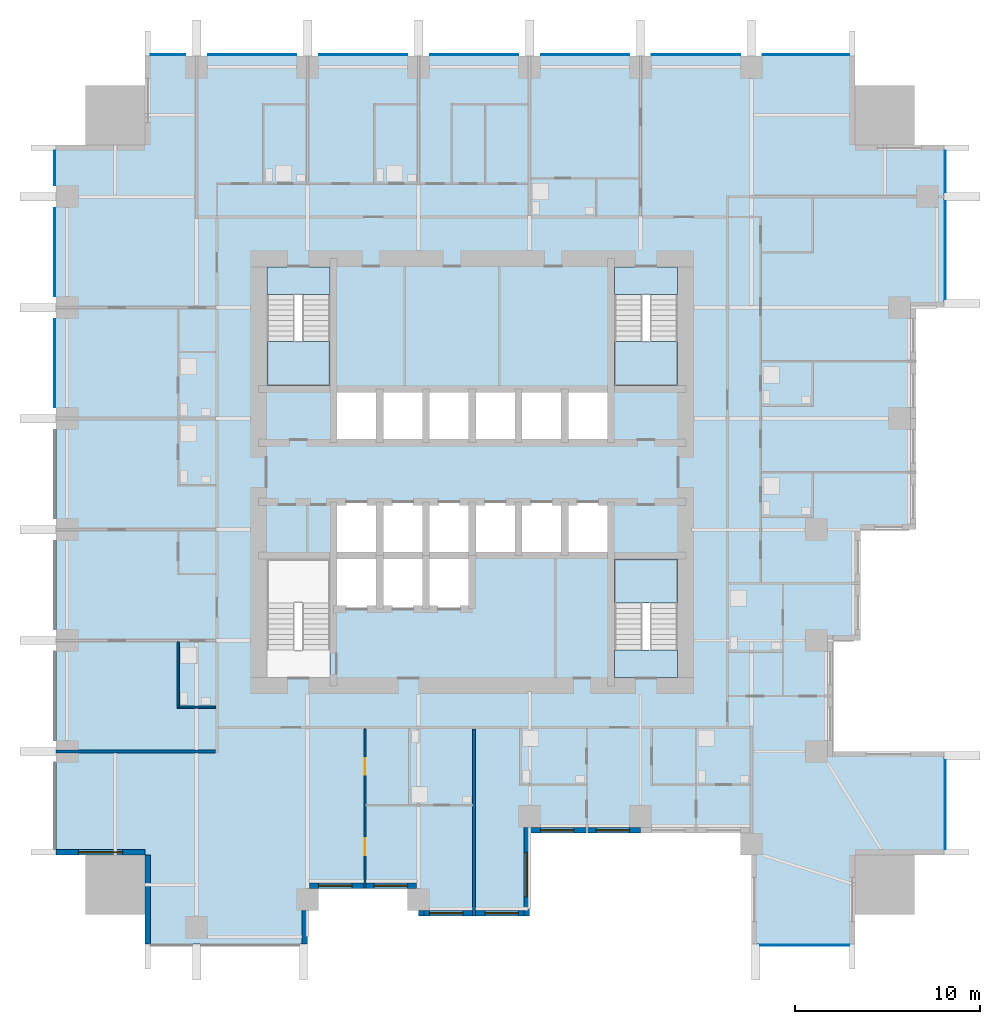
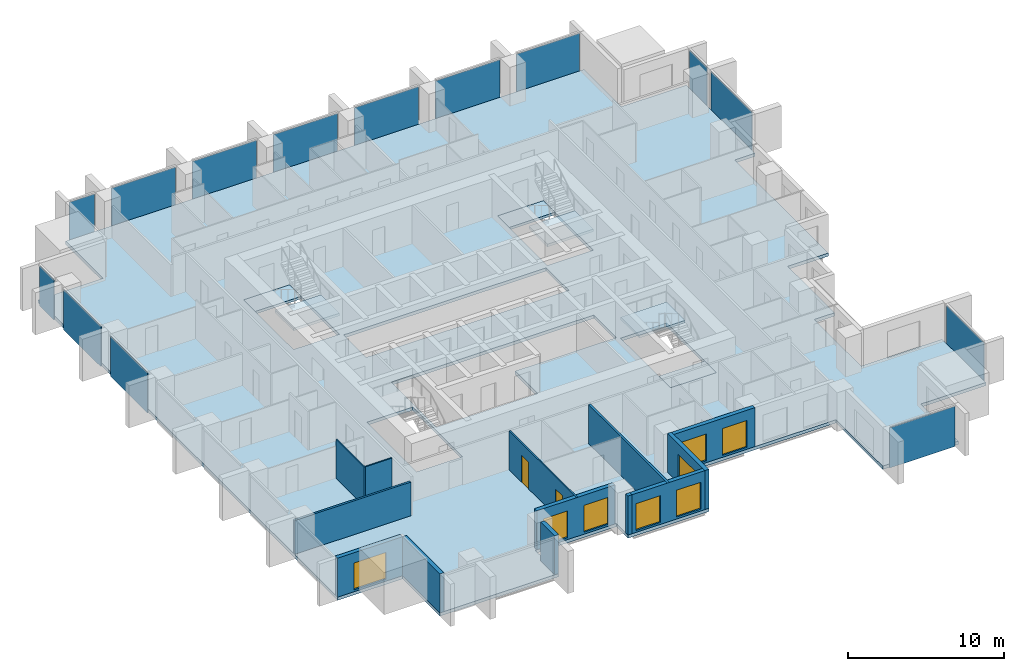
# One storey, part 3 of 10: 14 plates, 13 walls, 8 windows, 7 slabs, 2 doors, 10 openings, 8 elements without a shape of their own.
"""IFC4 building model written with IfcOpenShell, lengths in metres."""

from ifc_helpers import new_model, si_unit, direction, frame, frame_2d, origin, origin_2d, place, context, subcontext, project, spatial, polyline, rectangle, outline, extrude, material, layer, layer_set, type_object, element, fill, aggregate, save


model = new_model("IFC4")

# Units and contexts
model_context = context("Model", 3, precision=1e-05, world=origin(), true_north=direction((0.0, 1.0)))
body_context = subcontext(model_context, "Body", "Model", "MODEL_VIEW")
ifc_project = project(units=[si_unit("LENGTHUNIT", "METRE"), si_unit("AREAUNIT", "SQUARE_METRE"), si_unit("VOLUMEUNIT", "CUBIC_METRE"), si_unit("PLANEANGLEUNIT", "RADIAN"), si_unit("MASSUNIT", "GRAM", prefix="KILO")], contexts=[model_context])

# Site, building, storey
site_placement = place(None, origin())
site = spatial("IfcSite", under=ifc_project, at=site_placement, CompositionType="ELEMENT")
building_placement = place(site_placement, origin())
building = spatial("IfcBuilding", under=site, at=building_placement, Name="Amberfall Residences", CompositionType="ELEMENT")
storey_placement = place(building_placement, frame((0.0, 0.0, 49.89990234375)))
storey = spatial("IfcBuildingStorey", under=building, at=storey_placement, Name="L13", CompositionType="ELEMENT", Elevation=49.89990234375)

# Curtain wall, plate
ifc_material_1 = material(Name="Bronze anodised aluminium and glass", Category="aluminium")
curtain_wall_type = type_object("IfcCurtainWallType", Name="Curtain wall CW1 tower unit", PredefinedType="USERDEFINED", material=ifc_material_1)
curtain_wall_1_placement = place(storey_placement, origin())
curtain_wall_1 = element("IfcCurtainWall", 1, at=curtain_wall_1_placement, inside=storey, type_object=curtain_wall_type, Name="Curtain wall L13 S S10", ObjectType="UNITISED CURTAIN WALL", PredefinedType="USERDEFINED")
ifc_material_2 = material(Name="Tinted double glazed unit", Category="glass")
ifc_layer_1 = layer(ifc_material_2, 0.035888671875)
ifc_layer_set_1 = layer_set([ifc_layer_1], Name="CW1 panel 36 glazing")
plate_type = type_object("IfcPlateType", Name="CW1 panel 36 glazing", PredefinedType="CURTAIN_PANEL", material=ifc_layer_set_1)
plate_1_placement = place(storey_placement, frame((92.47509765625, 19.925048828125, -0.249755859375), z_axis=(0.0, 0.0, 1.0), x_axis=(1.0, 0.0, 0.0)))
plate_1 = element("IfcPlate", 2, at=plate_1_placement, type_object=plate_type, Name="CW1 panel 1.1", PredefinedType="CURTAIN_PANEL", context=body_context, shape_type="SweptSolid", body=[
    extrude(rectangle(XDim=4.825927734375, YDim=0.035888671875, at=origin_2d()), origin(), (0.0, 0.0, 1.0), 3.14990234375),
])
aggregate(curtain_wall_1, [plate_1])

curtain_wall_2_placement = place(storey_placement, origin())
curtain_wall_2 = element("IfcCurtainWall", 3, at=curtain_wall_2_placement, inside=storey, type_object=curtain_wall_type, Name="Curtain wall L13 E E1", ObjectType="UNITISED CURTAIN WALL", PredefinedType="USERDEFINED")
plate_2_placement = place(storey_placement, frame((100.074951171875, 27.52490234375, -0.249755859375), z_axis=(0.0, 0.0, 1.0), x_axis=(0.0, 1.0, 0.0)))
plate_2 = element("IfcPlate", 4, at=plate_2_placement, type_object=plate_type, Name="CW1 panel 1.1", PredefinedType="CURTAIN_PANEL", context=body_context, shape_type="SweptSolid", body=[
    extrude(rectangle(XDim=4.825927734375, YDim=0.035888671875, at=origin_2d()), origin(), (0.0, 0.0, 1.0), 3.14990234375),
])
aggregate(curtain_wall_2, [plate_2])

# Curtain wall, plates
curtain_wall_3_placement = place(storey_placement, origin())
curtain_wall_3 = element("IfcCurtainWall", 5, at=curtain_wall_3_placement, inside=storey, type_object=curtain_wall_type, Name="Curtain wall L13 E E10", ObjectType="UNITISED CURTAIN WALL", PredefinedType="USERDEFINED")
plate_3_placement = place(storey_placement, frame((100.074951171875, 57.512451171875, -0.249755859375), z_axis=(0.0, 0.0, 1.0), x_axis=(0.0, 1.0, 0.0)))
plate_3 = element("IfcPlate", 6, at=plate_3_placement, type_object=plate_type, Name="CW1 panel 1.1", PredefinedType="CURTAIN_PANEL", context=body_context, shape_type="SweptSolid", body=[
    extrude(rectangle(XDim=5.301025390625, YDim=0.035888671875, at=origin_2d()), origin(), (0.0, 0.0, 1.0), 3.14990234375),
])
plate_4_placement = place(storey_placement, frame((100.074951171875, 61.762451171875, -0.249755859375), z_axis=(0.0, 0.0, 1.0), x_axis=(0.0, 1.0, 0.0)))
plate_4 = element("IfcPlate", 7, at=plate_4_placement, type_object=plate_type, Name="CW1 panel 2.1", PredefinedType="CURTAIN_PANEL", context=body_context, shape_type="SweptSolid", body=[
    extrude(rectangle(XDim=2.2509765625, YDim=0.035888671875, at=origin_2d()), origin(), (0.0, 0.0, 1.0), 3.14990234375),
])
aggregate(curtain_wall_3, [plate_3, plate_4])

curtain_wall_4_placement = place(storey_placement, origin())
curtain_wall_4 = element("IfcCurtainWall", 8, at=curtain_wall_4_placement, inside=storey, type_object=curtain_wall_type, Name="Curtain wall L13 N N1", ObjectType="UNITISED CURTAIN WALL", PredefinedType="USERDEFINED")
plate_5_placement = place(storey_placement, frame((92.552490234375, 68.074951171875, -0.249755859375), z_axis=(0.0, 0.0, 1.0), x_axis=(-1.0, 0.0, 0.0)))
plate_5 = element("IfcPlate", 9, at=plate_5_placement, type_object=plate_type, Name="CW1 panel 1.1", PredefinedType="CURTAIN_PANEL", context=body_context, shape_type="SweptSolid", body=[
    extrude(rectangle(XDim=4.6708984375, YDim=0.035888671875, at=origin_2d()), origin(), (0.0, 0.0, 1.0), 3.14990234375),
])
plate_6_placement = place(storey_placement, frame((86.60009765625, 68.074951171875, -0.249755859375), z_axis=(0.0, 0.0, 1.0), x_axis=(-1.0, 0.0, 0.0)))
plate_6 = element("IfcPlate", 10, at=plate_6_placement, type_object=plate_type, Name="CW1 panel 2.1", PredefinedType="CURTAIN_PANEL", context=body_context, shape_type="SweptSolid", body=[
    extrude(rectangle(XDim=4.76611328125, YDim=0.035888671875, at=origin_2d()), origin(), (0.0, 0.0, 1.0), 3.14990234375),
])
plate_7_placement = place(storey_placement, frame((80.60009765625, 68.074951171875, -0.249755859375), z_axis=(0.0, 0.0, 1.0), x_axis=(-1.0, 0.0, 0.0)))
plate_7 = element("IfcPlate", 11, at=plate_7_placement, type_object=plate_type, Name="CW1 panel 3.1", PredefinedType="CURTAIN_PANEL", context=body_context, shape_type="SweptSolid", body=[
    extrude(rectangle(XDim=4.76611328125, YDim=0.035888671875, at=origin_2d()), origin(), (0.0, 0.0, 1.0), 3.14990234375),
])
plate_8_placement = place(storey_placement, frame((74.60009765625, 68.074951171875, -0.249755859375), z_axis=(0.0, 0.0, 1.0), x_axis=(-1.0, 0.0, 0.0)))
plate_8 = element("IfcPlate", 12, at=plate_8_placement, type_object=plate_type, Name="CW1 panel 4.1", PredefinedType="CURTAIN_PANEL", context=body_context, shape_type="SweptSolid", body=[
    extrude(rectangle(XDim=4.76611328125, YDim=0.035888671875, at=origin_2d()), origin(), (0.0, 0.0, 1.0), 3.14990234375),
])
plate_9_placement = place(storey_placement, frame((68.60009765625, 68.074951171875, -0.249755859375), z_axis=(0.0, 0.0, 1.0), x_axis=(-1.0, 0.0, 0.0)))
plate_9 = element("IfcPlate", 13, at=plate_9_placement, type_object=plate_type, Name="CW1 panel 5.1", PredefinedType="CURTAIN_PANEL", context=body_context, shape_type="SweptSolid", body=[
    extrude(rectangle(XDim=4.76611328125, YDim=0.035888671875, at=origin_2d()), origin(), (0.0, 0.0, 1.0), 3.14990234375),
])
plate_10_placement = place(storey_placement, frame((62.60009765625, 68.074951171875, -0.249755859375), z_axis=(0.0, 0.0, 1.0), x_axis=(-1.0, 0.0, 0.0)))
plate_10 = element("IfcPlate", 14, at=plate_10_placement, type_object=plate_type, Name="CW1 panel 6.1", PredefinedType="CURTAIN_PANEL", context=body_context, shape_type="SweptSolid", body=[
    extrude(rectangle(XDim=4.76611328125, YDim=0.035888671875, at=origin_2d()), origin(), (0.0, 0.0, 1.0), 3.14990234375),
])
plate_11_placement = place(storey_placement, frame((58.047607421875, 68.074951171875, -0.249755859375), z_axis=(0.0, 0.0, 1.0), x_axis=(-1.0, 0.0, 0.0)))
plate_11 = element("IfcPlate", 15, at=plate_11_placement, type_object=plate_type, Name="CW1 panel 7.1", PredefinedType="CURTAIN_PANEL", context=body_context, shape_type="SweptSolid", body=[
    extrude(rectangle(XDim=1.87109375, YDim=0.035888671875, at=origin_2d()), origin(), (0.0, 0.0, 1.0), 3.14990234375),
])
aggregate(curtain_wall_4, [plate_5, plate_6, plate_7, plate_8, plate_9, plate_10, plate_11])

curtain_wall_5_placement = place(storey_placement, origin())
curtain_wall_5 = element("IfcCurtainWall", 16, at=curtain_wall_5_placement, inside=storey, type_object=curtain_wall_type, Name="Curtain wall L13 W W1", ObjectType="UNITISED CURTAIN WALL", PredefinedType="USERDEFINED")
plate_12_placement = place(storey_placement, frame((51.925048828125, 61.952392578125, -0.249755859375), z_axis=(0.0, 0.0, 1.0), x_axis=(0.0, -1.0, 0.0)))
plate_12 = element("IfcPlate", 17, at=plate_12_placement, type_object=plate_type, Name="CW1 panel 1.1", PredefinedType="CURTAIN_PANEL", context=body_context, shape_type="SweptSolid", body=[
    extrude(rectangle(XDim=1.87109375, YDim=0.035888671875, at=origin_2d()), origin(), (0.0, 0.0, 1.0), 3.14990234375),
])
plate_13_placement = place(storey_placement, frame((51.925048828125, 57.39990234375, -0.249755859375), z_axis=(0.0, 0.0, 1.0), x_axis=(0.0, -1.0, 0.0)))
plate_13 = element("IfcPlate", 18, at=plate_13_placement, type_object=plate_type, Name="CW1 panel 2.1", PredefinedType="CURTAIN_PANEL", context=body_context, shape_type="SweptSolid", body=[
    extrude(rectangle(XDim=4.76611328125, YDim=0.035888671875, at=origin_2d()), origin(), (0.0, 0.0, 1.0), 3.14990234375),
])
plate_14_placement = place(storey_placement, frame((51.925048828125, 51.39990234375, -0.249755859375), z_axis=(0.0, 0.0, 1.0), x_axis=(0.0, -1.0, 0.0)))
plate_14 = element("IfcPlate", 19, at=plate_14_placement, type_object=plate_type, Name="CW1 panel 3.1", PredefinedType="CURTAIN_PANEL", context=body_context, shape_type="SweptSolid", body=[
    extrude(rectangle(XDim=4.76611328125, YDim=0.035888671875, at=origin_2d()), origin(), (0.0, 0.0, 1.0), 3.14990234375),
])
aggregate(curtain_wall_5, [plate_12, plate_13, plate_14])

# Slab
ifc_material_3 = material(Name="Concrete C80", Category="concrete")
ifc_layer_2 = layer(ifc_material_3, 0.25)
ifc_layer_set_2 = layer_set([ifc_layer_2], Name="Floor slab 250 C80")
slab_type_1 = type_object("IfcSlabType", Name="Floor slab 250 C80", PredefinedType="FLOOR", material=ifc_layer_set_2)
slab_1_placement = place(storey_placement, frame((0.0, 0.0, -0.25)))
element("IfcSlab", 20, at=slab_1_placement, inside=storey, type_object=slab_type_1, Name="Floor slab S3 L13", PredefinedType="FLOOR", context=body_context, shape_type="SweptSolid", body=[
    extrude(outline(polyline([(89.60009765625, 20.0), (89.60009765625, 26.0), (83.60009765625, 26.0), (77.60009765625, 26.0), (77.60009765625, 21.5), (71.60009765625, 21.5), (71.60009765625, 23.0), (65.60009765625, 23.0), (65.60009765625, 20.0), (56.800048828125, 20.0), (56.800048828125, 24.800048828125), (52.0, 24.800048828125), (52.0, 63.199951171875), (56.800048828125, 63.199951171875), (56.800048828125, 68.0), (95.199951171875, 68.0), (95.199951171875, 63.199951171875), (100.0, 63.199951171875), (100.0, 54.39990234375), (98.5, 54.39990234375), (98.5, 48.39990234375), (98.5, 42.39990234375), (95.5, 42.39990234375), (95.5, 36.39990234375), (94.0, 36.39990234375), (94.0, 30.39990234375), (100.0, 30.39990234375), (100.0, 24.800048828125), (95.199951171875, 24.800048828125), (95.199951171875, 20.0), (89.60009765625, 20.0)]), holes=[polyline([(85.60009765625, 34.39990234375), (85.60009765625, 40.800048828125), (82.199951171875, 40.800048828125), (82.199951171875, 34.39990234375), (85.60009765625, 34.39990234375)]), polyline([(82.199951171875, 50.199951171875), (85.60009765625, 50.199951171875), (85.60009765625, 56.60009765625), (82.199951171875, 56.60009765625), (82.199951171875, 50.199951171875)]), polyline([(69.5, 50.0), (67.0, 50.0), (67.0, 47.10009765625), (69.5, 47.10009765625), (72.0, 47.10009765625), (74.5, 47.10009765625), (77.0, 47.10009765625), (79.5, 47.10009765625), (82.0, 47.10009765625), (82.0, 50.0), (79.5, 50.0), (77.0, 50.0), (74.5, 50.0), (72.0, 50.0), (69.5, 50.0)]), polyline([(74.5, 41.0), (77.0, 41.0), (79.5, 41.0), (82.0, 41.0), (82.0, 43.89990234375), (79.5, 43.89990234375), (77.0, 43.89990234375), (74.5, 43.89990234375), (72.0, 43.89990234375), (69.5, 43.89990234375), (67.0, 43.89990234375), (67.0, 41.0), (67.0, 38.10009765625), (69.5, 38.10009765625), (72.0, 38.10009765625), (74.5, 38.10009765625), (74.5, 41.0)]), polyline([(66.800048828125, 34.39990234375), (66.800048828125, 40.800048828125), (63.39990234375, 40.800048828125), (63.39990234375, 34.39990234375), (66.800048828125, 34.39990234375)]), polyline([(66.800048828125, 50.199951171875), (66.800048828125, 56.60009765625), (63.39990234375, 56.60009765625), (63.39990234375, 50.199951171875), (66.800048828125, 50.199951171875)])]), origin(), (0.0, 0.0, 1.0), 0.25),
])

# Stair, slabs
ifc_material_4 = material(Name="Concrete C40", Category="concrete")
stair_type = type_object("IfcStairType", Name="Exit stair 20 risers 165.0 mm", PredefinedType="HALF_TURN_STAIR", material=ifc_material_4)
stair_1_placement = place(storey_placement, origin())
stair_1 = element("IfcStair", 21, at=stair_1_placement, inside=storey, type_object=stair_type, Name="L13 Exit stair 2", PredefinedType="HALF_TURN_STAIR")
ifc_layer_3 = layer(ifc_material_4, 0.199951171875)
ifc_layer_set_3 = layer_set([ifc_layer_3], Name="Stair landing 200")
slab_type_2 = type_object("IfcSlabType", Name="Stair landing 200", PredefinedType="LANDING", material=ifc_layer_set_3)
slab_2_placement = place(storey_placement, frame((0.0, 0.0, 1.4501953125)))
slab_2 = element("IfcSlab", 22, at=slab_2_placement, type_object=slab_type_2, Name="ST3 landing 1", PredefinedType="LANDING", context=body_context, shape_type="SweptSolid", body=[
    extrude(outline(polyline([(85.60009765625, 38.419921875), (85.60009765625, 40.800048828125), (82.199951171875, 40.800048828125), (82.199951171875, 38.419921875), (85.60009765625, 38.419921875)])), origin(), (0.0, 0.0, 1.0), 0.199951171875),
])
slab_3_placement = place(storey_placement, frame((0.0, 0.0, -0.199951171875)))
slab_3 = element("IfcSlab", 23, at=slab_3_placement, type_object=slab_type_2, Name="ST3 landing 2", PredefinedType="LANDING", context=body_context, shape_type="SweptSolid", body=[
    extrude(outline(polyline([(85.60009765625, 34.39990234375), (85.60009765625, 35.89990234375), (82.199951171875, 35.89990234375), (82.199951171875, 34.39990234375), (85.60009765625, 34.39990234375)])), origin(), (0.0, 0.0, 1.0), 0.199951171875),
])
aggregate(stair_1, [slab_2, slab_3])

stair_2_placement = place(storey_placement, origin())
stair_2 = element("IfcStair", 24, at=stair_2_placement, inside=storey, type_object=stair_type, Name="L13 Exit stair 3", PredefinedType="HALF_TURN_STAIR")
slab_4_placement = place(storey_placement, frame((0.0, 0.0, 1.4501953125)))
slab_4 = element("IfcSlab", 25, at=slab_4_placement, type_object=slab_type_2, Name="ST3 landing 1", PredefinedType="LANDING", context=body_context, shape_type="SweptSolid", body=[
    extrude(outline(polyline([(82.199951171875, 52.580078125), (82.199951171875, 50.199951171875), (85.60009765625, 50.199951171875), (85.60009765625, 52.580078125), (82.199951171875, 52.580078125)])), origin(), (0.0, 0.0, 1.0), 0.199951171875),
])
slab_5_placement = place(storey_placement, frame((0.0, 0.0, -0.199951171875)))
slab_5 = element("IfcSlab", 26, at=slab_5_placement, type_object=slab_type_2, Name="ST3 landing 2", PredefinedType="LANDING", context=body_context, shape_type="SweptSolid", body=[
    extrude(outline(polyline([(82.199951171875, 56.60009765625), (82.199951171875, 55.10009765625), (85.60009765625, 55.10009765625), (85.60009765625, 56.60009765625), (82.199951171875, 56.60009765625)])), origin(), (0.0, 0.0, 1.0), 0.199951171875),
])
aggregate(stair_2, [slab_4, slab_5])

stair_3_placement = place(storey_placement, origin())
stair_3 = element("IfcStair", 27, at=stair_3_placement, inside=storey, type_object=stair_type, Name="L13 Exit stair 4", PredefinedType="HALF_TURN_STAIR")
slab_6_placement = place(storey_placement, frame((0.0, 0.0, 1.4501953125)))
slab_6 = element("IfcSlab", 28, at=slab_6_placement, type_object=slab_type_2, Name="ST3 landing 1", PredefinedType="LANDING", context=body_context, shape_type="SweptSolid", body=[
    extrude(outline(polyline([(63.39990234375, 52.580078125), (63.39990234375, 50.199951171875), (66.800048828125, 50.199951171875), (66.800048828125, 52.580078125), (63.39990234375, 52.580078125)])), origin(), (0.0, 0.0, 1.0), 0.199951171875),
])
slab_7_placement = place(storey_placement, frame((0.0, 0.0, -0.199951171875)))
slab_7 = element("IfcSlab", 29, at=slab_7_placement, type_object=slab_type_2, Name="ST3 landing 2", PredefinedType="LANDING", context=body_context, shape_type="SweptSolid", body=[
    extrude(outline(polyline([(63.39990234375, 56.60009765625), (63.39990234375, 55.10009765625), (66.800048828125, 55.10009765625), (66.800048828125, 56.60009765625), (63.39990234375, 56.60009765625)])), origin(), (0.0, 0.0, 1.0), 0.199951171875),
])
aggregate(stair_3, [slab_6, slab_7])

# Walls
ifc_material_5 = material(Name="Pale stone cladding on insulated backing", Category="masonry")
ifc_layer_4 = layer(ifc_material_5, 0.300048828125)
ifc_layer_set_4 = layer_set([ifc_layer_4], Name="Bronze clad wall 300")
wall_type_1 = type_object("IfcWallType", Name="Bronze clad wall 300", PredefinedType="SOLIDWALL", material=ifc_layer_set_4)
wall_1_placement = place(storey_placement, frame((65.449951171875, 20.0, 0.0), z_axis=(0.0, 0.0, 1.0), x_axis=(0.0, 1.0, 0.0)))
element("IfcWall", 30, at=wall_1_placement, inside=storey, type_object=wall_type_1, Name="External wall L13 S", PredefinedType="SOLIDWALL", context=body_context, shape_type="SweptSolid", body=[
    extrude(rectangle(XDim=1.800048828125, YDim=0.300048828125, at=frame_2d((0.89990234375, 0.0))), origin(), (0.0, 0.0, 1.0), 3.050048828125),
])
wall_2_placement = place(storey_placement, frame((71.75, 21.800048828125, 0.0), z_axis=(0.0, 0.0, 1.0), x_axis=(0.0, -1.0, 0.0)))
element("IfcWall", 31, at=wall_2_placement, inside=storey, type_object=wall_type_1, Name="External wall L13 S", PredefinedType="SOLIDWALL", context=body_context, shape_type="SweptSolid", body=[
    extrude(rectangle(XDim=0.300048828125, YDim=0.300048828125, at=frame_2d((0.14990234375, 0.0))), origin(), (0.0, 0.0, 1.0), 3.050048828125),
])

# Wall, opening, window
wall_3_placement = place(storey_placement, frame((77.449951171875, 21.5, 0.0), z_axis=(0.0, 0.0, 1.0), x_axis=(0.0, 1.0, 0.0)))
wall_3 = element("IfcWall", 32, at=wall_3_placement, inside=storey, type_object=wall_type_1, Name="External wall L13 S", PredefinedType="SOLIDWALL", context=body_context, shape_type="SweptSolid", body=[
    extrude(rectangle(XDim=4.800048828125, YDim=0.300048828125, at=frame_2d((2.39990234375, 0.0))), origin(), (0.0, 0.0, 1.0), 3.050048828125),
])
opening_1_placement = place(wall_3_placement, frame((1.050048828125, 0.0, 0.14990234375)))
opening_1 = element("IfcOpeningElement", 33, at=opening_1_placement, cuts=wall_3, Name="Opening WN5", PredefinedType="OPENING", context=body_context, shape_type="SweptSolid", body=[
    extrude(rectangle(XDim=2.39990234375, YDim=2.10009765625, at=frame_2d((1.199951171875, 1.050048828125))), frame((0.0, 0.159912109375, 0.0), z_axis=(0.0, -1.0, 0.0), x_axis=(1.0, 0.0, 0.0)), (0.0, 0.0, 1.0), 0.320068359375),
])
ifc_material_6 = material(Name="Bronze aluminium framed glazing", Category="aluminium")
window_type_1 = type_object("IfcWindowType", Name="Glazed opening 2400 x 2100 bronze", PartitioningType="DOUBLE_PANEL_VERTICAL", PredefinedType="WINDOW", material=ifc_material_6)
window_1_placement = place(opening_1_placement, origin())
window_1 = element("IfcWindow", 34, at=window_1_placement, inside=storey, type_object=window_type_1, Name="Window L13 S", OverallHeight=2.10009765625, OverallWidth=2.39990234375, PartitioningType="DOUBLE_PANEL_VERTICAL", PredefinedType="WINDOW", context=body_context, shape_type="SweptSolid", body=[
    extrude(rectangle(XDim=2.39990234375, YDim=2.10009765625, at=frame_2d((1.199951171875, 1.050048828125))), frame((0.0, 0.030029296875, 0.0), z_axis=(0.0, -1.0, 0.0), x_axis=(1.0, 0.0, 0.0)), (0.0, 0.0, 1.0), 0.06005859375),
])
fill(opening_1, window_1)

wall_4_placement = place(storey_placement, frame((52.0, 24.949951171875, 0.0), z_axis=(0.0, 0.0, 1.0), x_axis=(1.0, 0.0, 0.0)))
wall_4 = element("IfcWall", 35, at=wall_4_placement, inside=storey, type_object=wall_type_1, Name="External wall L13 SW", PredefinedType="SOLIDWALL", context=body_context, shape_type="SweptSolid", body=[
    extrude(rectangle(XDim=4.800048828125, YDim=0.300048828125, at=frame_2d((2.39990234375, 0.0))), origin(), (0.0, 0.0, 1.0), 3.050048828125),
])
opening_2_placement = place(wall_4_placement, frame((1.199951171875, 0.0, 0.14990234375)))
opening_2 = element("IfcOpeningElement", 36, at=opening_2_placement, cuts=wall_4, Name="Opening WN5", PredefinedType="OPENING", context=body_context, shape_type="SweptSolid", body=[
    extrude(rectangle(XDim=2.39990234375, YDim=2.10009765625, at=frame_2d((1.199951171875, 1.050048828125))), frame((0.0, 0.159912109375, 0.0), z_axis=(0.0, -1.0, 0.0), x_axis=(1.0, 0.0, 0.0)), (0.0, 0.0, 1.0), 0.320068359375),
])
window_2_placement = place(opening_2_placement, origin())
window_2 = element("IfcWindow", 37, at=window_2_placement, inside=storey, type_object=window_type_1, Name="Window L13 SW", OverallHeight=2.10009765625, OverallWidth=2.39990234375, PartitioningType="DOUBLE_PANEL_VERTICAL", PredefinedType="WINDOW", context=body_context, shape_type="SweptSolid", body=[
    extrude(rectangle(XDim=2.39990234375, YDim=2.10009765625, at=frame_2d((1.199951171875, 1.050048828125))), frame((0.0, 0.030029296875, 0.0), z_axis=(0.0, -1.0, 0.0), x_axis=(1.0, 0.0, 0.0)), (0.0, 0.0, 1.0), 0.06005859375),
])
fill(opening_2, window_2)

# Wall
wall_5_placement = place(storey_placement, frame((56.949951171875, 24.800048828125, 0.0), z_axis=(0.0, 0.0, 1.0), x_axis=(0.0, -1.0, 0.0)))
element("IfcWall", 38, at=wall_5_placement, inside=storey, type_object=wall_type_1, Name="External wall L13 SW", PredefinedType="SOLIDWALL", context=body_context, shape_type="SweptSolid", body=[
    extrude(rectangle(XDim=4.800048828125, YDim=0.300048828125, at=frame_2d((2.39990234375, 0.0))), origin(), (0.0, 0.0, 1.0), 3.050048828125),
])

# Wall, openings, windows
wall_6_placement = place(storey_placement, frame((65.7099609375, 23.14990234375, 0.0), z_axis=(0.0, 0.0, 1.0), x_axis=(1.0, 0.0, 0.0)))
wall_6 = element("IfcWall", 39, at=wall_6_placement, inside=storey, type_object=wall_type_1, Name="Stone wall L13 S", PredefinedType="SOLIDWALL", context=body_context, shape_type="SweptSolid", body=[
    extrude(rectangle(XDim=5.780029296875, YDim=0.300048828125, at=frame_2d((2.89013671875, 0.0))), origin(), (0.0, 0.0, 1.0), 3.050048828125),
])
opening_3_placement = place(wall_6_placement, frame((0.489990234375, 0.0, 0.14990234375)))
opening_3 = element("IfcOpeningElement", 40, at=opening_3_placement, cuts=wall_6, Name="Opening WN6", PredefinedType="OPENING", context=body_context, shape_type="SweptSolid", body=[
    extrude(rectangle(XDim=1.800048828125, YDim=2.10009765625, at=frame_2d((0.89990234375, 1.050048828125))), frame((0.0, 0.159912109375, 0.0), z_axis=(0.0, -1.0, 0.0), x_axis=(1.0, 0.0, 0.0)), (0.0, 0.0, 1.0), 0.320068359375),
])
opening_4_placement = place(wall_6_placement, frame((3.489990234375, 0.0, 0.14990234375)))
opening_4 = element("IfcOpeningElement", 41, at=opening_4_placement, cuts=wall_6, Name="Opening WN6", PredefinedType="OPENING", context=body_context, shape_type="SweptSolid", body=[
    extrude(rectangle(XDim=1.800048828125, YDim=2.10009765625, at=frame_2d((0.89990234375, 1.050048828125))), frame((0.0, 0.159912109375, 0.0), z_axis=(0.0, -1.0, 0.0), x_axis=(1.0, 0.0, 0.0)), (0.0, 0.0, 1.0), 0.320068359375),
])
window_type_2 = type_object("IfcWindowType", Name="Glazed opening 1800 x 2100 bronze", PartitioningType="DOUBLE_PANEL_VERTICAL", PredefinedType="WINDOW", material=ifc_material_6)
window_3_placement = place(opening_3_placement, origin())
window_3 = element("IfcWindow", 42, at=window_3_placement, inside=storey, type_object=window_type_2, Name="Window L13 S", OverallHeight=2.10009765625, OverallWidth=1.800048828125, PartitioningType="DOUBLE_PANEL_VERTICAL", PredefinedType="WINDOW", context=body_context, shape_type="SweptSolid", body=[
    extrude(rectangle(XDim=1.800048828125, YDim=2.10009765625, at=frame_2d((0.89990234375, 1.050048828125))), frame((0.0, 0.030029296875, 0.0), z_axis=(0.0, -1.0, 0.0), x_axis=(1.0, 0.0, 0.0)), (0.0, 0.0, 1.0), 0.06005859375),
])
fill(opening_3, window_3)
window_4_placement = place(opening_4_placement, origin())
window_4 = element("IfcWindow", 43, at=window_4_placement, inside=storey, type_object=window_type_2, Name="Window L13 S", OverallHeight=2.10009765625, OverallWidth=1.800048828125, PartitioningType="DOUBLE_PANEL_VERTICAL", PredefinedType="WINDOW", context=body_context, shape_type="SweptSolid", body=[
    extrude(rectangle(XDim=1.800048828125, YDim=2.10009765625, at=frame_2d((0.89990234375, 1.050048828125))), frame((0.0, 0.030029296875, 0.0), z_axis=(0.0, -1.0, 0.0), x_axis=(1.0, 0.0, 0.0)), (0.0, 0.0, 1.0), 0.06005859375),
])
fill(opening_4, window_4)

wall_7_placement = place(storey_placement, frame((71.89990234375, 21.64990234375, 0.0), z_axis=(0.0, 0.0, 1.0), x_axis=(1.0, 0.0, 0.0)))
wall_7 = element("IfcWall", 44, at=wall_7_placement, inside=storey, type_object=wall_type_1, Name="Stone wall L13 S", PredefinedType="SOLIDWALL", context=body_context, shape_type="SweptSolid", body=[
    extrude(rectangle(XDim=5.400146484375, YDim=0.300048828125, at=frame_2d((2.7001953125, 0.0))), origin(), (0.0, 0.0, 1.0), 3.050048828125),
])
opening_5_placement = place(wall_7_placement, frame((0.300048828125, 0.0, 0.14990234375)))
opening_5 = element("IfcOpeningElement", 45, at=opening_5_placement, cuts=wall_7, Name="Opening WN6", PredefinedType="OPENING", context=body_context, shape_type="SweptSolid", body=[
    extrude(rectangle(XDim=1.800048828125, YDim=2.10009765625, at=frame_2d((0.89990234375, 1.050048828125))), frame((0.0, 0.159912109375, 0.0), z_axis=(0.0, -1.0, 0.0), x_axis=(1.0, 0.0, 0.0)), (0.0, 0.0, 1.0), 0.320068359375),
])
opening_6_placement = place(wall_7_placement, frame((3.300048828125, 0.0, 0.14990234375)))
opening_6 = element("IfcOpeningElement", 46, at=opening_6_placement, cuts=wall_7, Name="Opening WN6", PredefinedType="OPENING", context=body_context, shape_type="SweptSolid", body=[
    extrude(rectangle(XDim=1.800048828125, YDim=2.10009765625, at=frame_2d((0.89990234375, 1.050048828125))), frame((0.0, 0.159912109375, 0.0), z_axis=(0.0, -1.0, 0.0), x_axis=(1.0, 0.0, 0.0)), (0.0, 0.0, 1.0), 0.320068359375),
])
window_5_placement = place(opening_5_placement, origin())
window_5 = element("IfcWindow", 47, at=window_5_placement, inside=storey, type_object=window_type_2, Name="Window L13 S", OverallHeight=2.10009765625, OverallWidth=1.800048828125, PartitioningType="DOUBLE_PANEL_VERTICAL", PredefinedType="WINDOW", context=body_context, shape_type="SweptSolid", body=[
    extrude(rectangle(XDim=1.800048828125, YDim=2.10009765625, at=frame_2d((0.89990234375, 1.050048828125))), frame((0.0, 0.030029296875, 0.0), z_axis=(0.0, -1.0, 0.0), x_axis=(1.0, 0.0, 0.0)), (0.0, 0.0, 1.0), 0.06005859375),
])
fill(opening_5, window_5)
window_6_placement = place(opening_6_placement, origin())
window_6 = element("IfcWindow", 48, at=window_6_placement, inside=storey, type_object=window_type_2, Name="Window L13 S", OverallHeight=2.10009765625, OverallWidth=1.800048828125, PartitioningType="DOUBLE_PANEL_VERTICAL", PredefinedType="WINDOW", context=body_context, shape_type="SweptSolid", body=[
    extrude(rectangle(XDim=1.800048828125, YDim=2.10009765625, at=frame_2d((0.89990234375, 1.050048828125))), frame((0.0, 0.030029296875, 0.0), z_axis=(0.0, -1.0, 0.0), x_axis=(1.0, 0.0, 0.0)), (0.0, 0.0, 1.0), 0.06005859375),
])
fill(opening_6, window_6)

wall_8_placement = place(storey_placement, frame((77.60009765625, 26.14990234375, 0.0), z_axis=(0.0, 0.0, 1.0), x_axis=(1.0, 0.0, 0.0)))
wall_8 = element("IfcWall", 49, at=wall_8_placement, inside=storey, type_object=wall_type_1, Name="Stone wall L13 S", PredefinedType="SOLIDWALL", context=body_context, shape_type="SweptSolid", body=[
    extrude(rectangle(XDim=6.0, YDim=0.300048828125, at=frame_2d((3.0, 0.0))), origin(), (0.0, 0.0, 1.0), 3.050048828125),
])
opening_7_placement = place(wall_8_placement, frame((0.60009765625, 0.0, 0.14990234375)))
opening_7 = element("IfcOpeningElement", 50, at=opening_7_placement, cuts=wall_8, Name="Opening WN6", PredefinedType="OPENING", context=body_context, shape_type="SweptSolid", body=[
    extrude(rectangle(XDim=1.800048828125, YDim=2.10009765625, at=frame_2d((0.89990234375, 1.050048828125))), frame((0.0, 0.159912109375, 0.0), z_axis=(0.0, -1.0, 0.0), x_axis=(1.0, 0.0, 0.0)), (0.0, 0.0, 1.0), 0.320068359375),
])
opening_8_placement = place(wall_8_placement, frame((3.60009765625, 0.0, 0.14990234375)))
opening_8 = element("IfcOpeningElement", 51, at=opening_8_placement, cuts=wall_8, Name="Opening WN6", PredefinedType="OPENING", context=body_context, shape_type="SweptSolid", body=[
    extrude(rectangle(XDim=1.800048828125, YDim=2.10009765625, at=frame_2d((0.89990234375, 1.050048828125))), frame((0.0, 0.159912109375, 0.0), z_axis=(0.0, -1.0, 0.0), x_axis=(1.0, 0.0, 0.0)), (0.0, 0.0, 1.0), 0.320068359375),
])
window_7_placement = place(opening_7_placement, origin())
window_7 = element("IfcWindow", 52, at=window_7_placement, inside=storey, type_object=window_type_2, Name="Window L13 S", OverallHeight=2.10009765625, OverallWidth=1.800048828125, PartitioningType="DOUBLE_PANEL_VERTICAL", PredefinedType="WINDOW", context=body_context, shape_type="SweptSolid", body=[
    extrude(rectangle(XDim=1.800048828125, YDim=2.10009765625, at=frame_2d((0.89990234375, 1.050048828125))), frame((0.0, 0.030029296875, 0.0), z_axis=(0.0, -1.0, 0.0), x_axis=(1.0, 0.0, 0.0)), (0.0, 0.0, 1.0), 0.06005859375),
])
fill(opening_7, window_7)
window_8_placement = place(opening_8_placement, origin())
window_8 = element("IfcWindow", 53, at=window_8_placement, inside=storey, type_object=window_type_2, Name="Window L13 S", OverallHeight=2.10009765625, OverallWidth=1.800048828125, PartitioningType="DOUBLE_PANEL_VERTICAL", PredefinedType="WINDOW", context=body_context, shape_type="SweptSolid", body=[
    extrude(rectangle(XDim=1.800048828125, YDim=2.10009765625, at=frame_2d((0.89990234375, 1.050048828125))), frame((0.0, 0.030029296875, 0.0), z_axis=(0.0, -1.0, 0.0), x_axis=(1.0, 0.0, 0.0)), (0.0, 0.0, 1.0), 0.06005859375),
])
fill(opening_8, window_8)

# Wall
ifc_material_7 = material(Name="Gypsum board on metal stud")
ifc_layer_5 = layer(ifc_material_7, 0.10009765625)
ifc_layer_set_5 = layer_set([ifc_layer_5], Name="Flat partition 100")
wall_type_2 = type_object("IfcWallType", Name="Flat partition 100", PredefinedType="PARTITIONING", material=ifc_layer_set_5)
wall_9_placement = place(storey_placement, frame((58.60009765625, 32.75, 0.0), z_axis=(0.0, 0.0, 1.0), x_axis=(0.0, 1.0, 0.0)))
element("IfcWall", 54, at=wall_9_placement, inside=storey, type_object=wall_type_2, Name="Partition 001", PredefinedType="PARTITIONING", context=body_context, shape_type="SweptSolid", body=[
    extrude(rectangle(XDim=3.60009765625, YDim=0.10009765625, at=frame_2d((1.800048828125, 0.0))), origin(), (0.0, 0.0, 1.0), 3.050048828125),
])

# Wall, openings, doors
wall_10_placement = place(storey_placement, frame((68.699951171875, 31.625, 0.0), z_axis=(0.0, 0.0, 1.0), x_axis=(0.0, -1.0, 0.0)))
wall_10 = element("IfcWall", 55, at=wall_10_placement, inside=storey, type_object=wall_type_2, Name="Partition 007", PredefinedType="PARTITIONING", context=body_context, shape_type="SweptSolid", body=[
    extrude(rectangle(XDim=8.625, YDim=0.10009765625, at=frame_2d((4.3125, 0.0))), origin(), (0.0, 0.0, 1.0), 3.050048828125),
])
opening_9_placement = place(wall_10_placement, frame((1.574951171875, 0.0, 0.0)))
opening_9 = element("IfcOpeningElement", 56, at=opening_9_placement, cuts=wall_10, Name="Opening D41", PredefinedType="OPENING", context=body_context, shape_type="SweptSolid", body=[
    extrude(rectangle(XDim=0.89990234375, YDim=2.10009765625, at=frame_2d((0.449951171875, 1.050048828125))), frame((0.0, 0.06005859375, 0.0), z_axis=(0.0, -1.0, 0.0), x_axis=(1.0, 0.0, 0.0)), (0.0, 0.0, 1.0), 0.1201171875),
])
opening_10_placement = place(wall_10_placement, frame((5.925048828125, 0.0, 0.0)))
opening_10 = element("IfcOpeningElement", 57, at=opening_10_placement, cuts=wall_10, Name="Opening D41", PredefinedType="OPENING", context=body_context, shape_type="SweptSolid", body=[
    extrude(rectangle(XDim=0.89990234375, YDim=2.10009765625, at=frame_2d((0.449951171875, 1.050048828125))), frame((0.0, 0.06005859375, 0.0), z_axis=(0.0, -1.0, 0.0), x_axis=(1.0, 0.0, 0.0)), (0.0, 0.0, 1.0), 0.1201171875),
])
ifc_material_8 = material(Name="Timber", Category="wood")
door_type = type_object("IfcDoorType", Name="Internal door 900 x 2100", OperationType="SINGLE_SWING_LEFT", PredefinedType="DOOR", material=ifc_material_8)
door_1_placement = place(opening_9_placement, origin())
door_1 = element("IfcDoor", 58, at=door_1_placement, inside=storey, type_object=door_type, Name="Door 1301 kitchen", OperationType="SINGLE_SWING_LEFT", OverallHeight=2.10009765625, OverallWidth=0.89990234375, PredefinedType="DOOR", context=body_context, shape_type="SweptSolid", body=[
    extrude(rectangle(XDim=0.89990234375, YDim=2.10009765625, at=frame_2d((0.449951171875, 1.050048828125))), frame((0.0, 0.02490234375, 0.0), z_axis=(0.0, -1.0, 0.0), x_axis=(1.0, 0.0, 0.0)), (0.0, 0.0, 1.0), 0.050048828125),
])
fill(opening_9, door_1)
door_2_placement = place(opening_10_placement, origin())
door_2 = element("IfcDoor", 59, at=door_2_placement, inside=storey, type_object=door_type, Name="Door 1301 bedroom1", OperationType="SINGLE_SWING_LEFT", OverallHeight=2.10009765625, OverallWidth=0.89990234375, PredefinedType="DOOR", context=body_context, shape_type="SweptSolid", body=[
    extrude(rectangle(XDim=0.89990234375, YDim=2.10009765625, at=frame_2d((0.449951171875, 1.050048828125))), frame((0.0, 0.02490234375, 0.0), z_axis=(0.0, -1.0, 0.0), x_axis=(1.0, 0.0, 0.0)), (0.0, 0.0, 1.0), 0.050048828125),
])
fill(opening_10, door_2)

# Walls
wall_11_placement = place(storey_placement, frame((58.64990234375, 32.800048828125, 0.0), z_axis=(0.0, 0.0, 1.0), x_axis=(1.0, 0.0, 0.0)))
element("IfcWall", 60, at=wall_11_placement, inside=storey, type_object=wall_type_2, Name="Partition 043", PredefinedType="PARTITIONING", context=body_context, shape_type="SweptSolid", body=[
    extrude(rectangle(XDim=1.97509765625, YDim=0.10009765625, at=frame_2d((0.987548828125, 0.0))), origin(), (0.0, 0.0, 1.0), 3.050048828125),
])
ifc_material_9 = material(Name="Blockwork, plastered", Category="masonry")
ifc_layer_6 = layer(ifc_material_9, 0.14990234375)
ifc_layer_set_6 = layer_set([ifc_layer_6], Name="Flat separating wall 150")
wall_type_3 = type_object("IfcWallType", Name="Flat separating wall 150", PredefinedType="PARTITIONING", material=ifc_layer_set_6)
wall_12_placement = place(storey_placement, frame((74.60009765625, 21.5, 0.0), z_axis=(0.0, 0.0, 1.0), x_axis=(0.0, 1.0, 0.0)))
element("IfcWall", 61, at=wall_12_placement, inside=storey, type_object=wall_type_3, Name="Separating wall 049", PredefinedType="PARTITIONING", context=body_context, shape_type="SweptSolid", body=[
    extrude(rectangle(XDim=10.125, YDim=0.14990234375, at=frame_2d((5.0625, 0.0))), origin(), (0.0, 0.0, 1.0), 3.050048828125),
])
wall_13_placement = place(storey_placement, frame((52.0, 30.39990234375, 0.0), z_axis=(0.0, 0.0, 1.0), x_axis=(1.0, 0.0, 0.0)))
element("IfcWall", 62, at=wall_13_placement, inside=storey, type_object=wall_type_3, Name="Separating wall 058", PredefinedType="PARTITIONING", context=body_context, shape_type="SweptSolid", body=[
    extrude(rectangle(XDim=8.625, YDim=0.14990234375, at=frame_2d((4.3125, 0.0))), origin(), (0.0, 0.0, 1.0), 2.647216796875),
])

save(model, "model.ifc")
